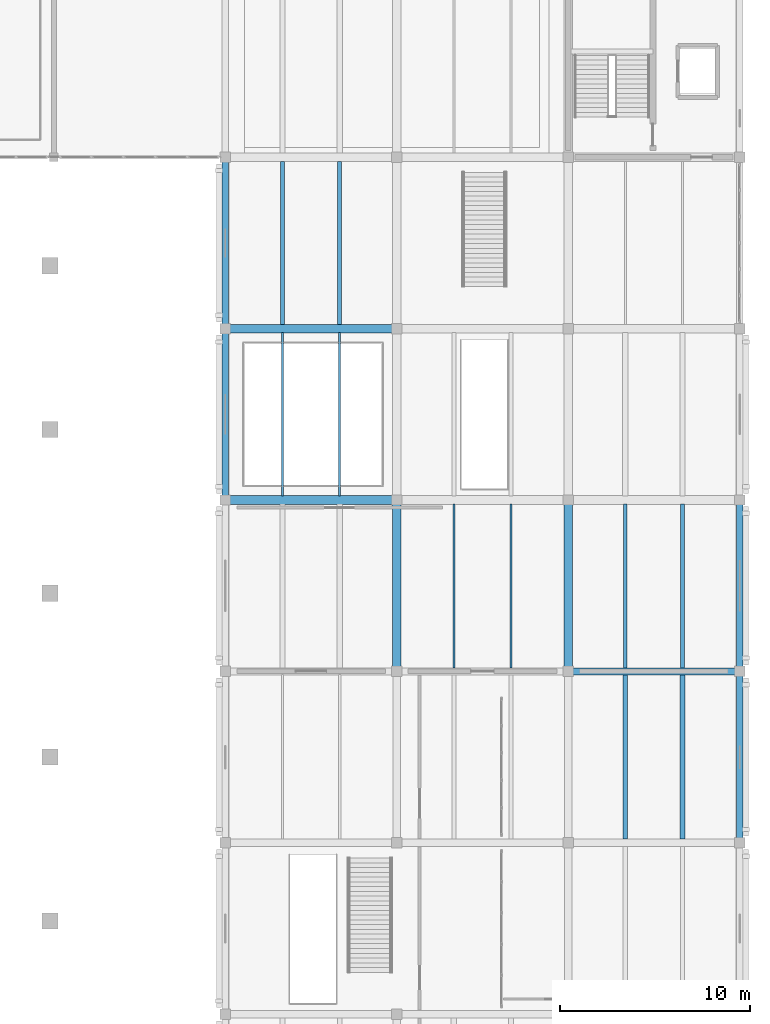
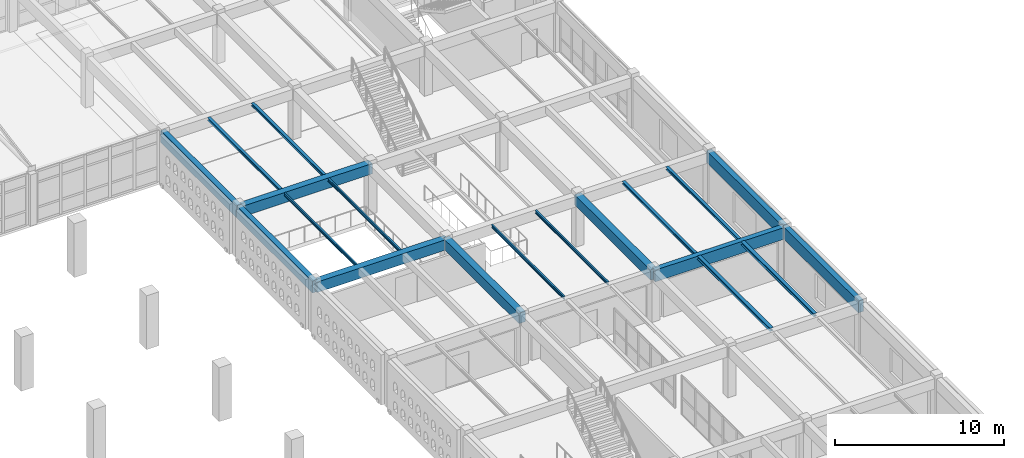
# One storey, part 90 of 156: 19 beams.
"""IFC4 building model written with IfcOpenShell, lengths in metres."""

from ifc_helpers import new_model, si_unit, direction, frame, origin, origin_2d, place, context, subcontext, project, spatial, rectangle, i_section, extrude, material, material_profile, profile_set, type_object, element, save


model = new_model("IFC4")

# Units and contexts
model_context = context("Model", 3, precision=1e-05, world=origin(), true_north=direction((0.0, 1.0)))
body_context = subcontext(model_context, "Body", "Model", "MODEL_VIEW")
ifc_project = project(units=[si_unit("LENGTHUNIT", "METRE"), si_unit("AREAUNIT", "SQUARE_METRE"), si_unit("VOLUMEUNIT", "CUBIC_METRE"), si_unit("PLANEANGLEUNIT", "RADIAN"), si_unit("MASSUNIT", "GRAM", prefix="KILO")], contexts=[model_context])

# Site, building, storey
site_placement = place(None, origin())
site = spatial("IfcSite", under=ifc_project, at=site_placement, CompositionType="ELEMENT")
building_placement = place(site_placement, origin())
building = spatial("IfcBuilding", under=site, at=building_placement, Name="Ornek Quay Market", CompositionType="ELEMENT")
storey_placement = place(building_placement, frame((0.0, 0.0, 4.5)))
storey = spatial("IfcBuildingStorey", under=building, at=storey_placement, Name="L01", CompositionType="ELEMENT", Elevation=4.5)

# Beams
ifc_material_1 = material(Name="Concrete C40/50", Category="concrete")
ifc_material_profile_1 = material_profile(ifc_material_1, rectangle(XDim=0.449951171875, YDim=0.75, at=origin_2d()), Name="RC 450x750", Category="concrete")
ifc_profile_set_1 = profile_set([ifc_material_profile_1], Name="Concrete C40/50")
beam_type_1 = type_object("IfcBeamType", Name="BM-FC-450x750", PredefinedType="BEAM", material=ifc_profile_set_1)
for number, where, z_axis, x_axis, name in (
    (1, (153.0, 74.0, 3.2548828125), (1.0, 0.0, 0.0), (0.0, 1.0, 0.0), "Primary beam B-FC1-037"),
    (2, (153.0, 83.0, 3.2548828125), (1.0, 0.0, 0.0), (0.0, 1.0, 0.0), "Primary beam B-FC1-040"),
    (3, (162.0, 65.0, 3.2548828125), (0.0, 1.0, 0.0), (-1.0, 0.0, 0.0), "Primary beam B-FC1-049"),
    (4, (171.0, 65.0, 3.2548828125), (0.0, 1.0, 0.0), (-1.0, 0.0, 0.0), "Primary beam B-FC1-054"),
):
    element("IfcBeam", number, at=place(storey_placement, frame(where, z_axis=z_axis, x_axis=x_axis)), inside=storey, type_object=beam_type_1, Name=name, PredefinedType="BEAM", context=body_context, shape_type="SweptSolid", body=[
        extrude(rectangle(XDim=0.449951171875, YDim=0.75, at=origin_2d()), origin(), (0.0, 0.0, 1.0), 9.0),
    ])
ifc_material_profile_2 = material_profile(ifc_material_1, rectangle(XDim=0.35009765625, YDim=0.85009765625, at=origin_2d()), Name="RC 350x850", Category="concrete")
ifc_profile_set_2 = profile_set([ifc_material_profile_2], Name="Concrete C40/50")
beam_type_2 = type_object("IfcBeamType", Name="BM-SPN-350x850", PredefinedType="SPANDREL", material=ifc_profile_set_2)
for number, where, z_axis, x_axis, name in (
    (5, (171.0, 65.0, 3.205078125), (1.0, 0.0, 0.0), (0.0, 1.0, 0.0), "Primary beam B-SP1-103"),
    (6, (153.0, 74.0, 3.205078125), (0.0, 1.0, 0.0), (-1.0, 0.0, 0.0), "Primary beam B-SP1-108"),
    (7, (153.0, 83.0, 3.205078125), (0.0, 1.0, 0.0), (-1.0, 0.0, 0.0), "Primary beam B-SP1-109"),
    (8, (180.0, 65.0, 3.205078125), (0.0, 1.0, 0.0), (-1.0, 0.0, 0.0), "Primary beam B-SP1-112"),
    (9, (180.0, 56.0, 3.22509765625), (0.0, 1.0, 0.0), (-1.0, 0.0, 0.0), "Primary beam B-SP1-145"),
):
    element("IfcBeam", number, at=place(storey_placement, frame(where, z_axis=z_axis, x_axis=x_axis)), inside=storey, type_object=beam_type_2, Name=name, PredefinedType="SPANDREL", context=body_context, shape_type="SweptSolid", body=[
        extrude(rectangle(XDim=0.35009765625, YDim=0.85009765625, at=origin_2d()), origin(), (0.0, 0.0, 1.0), 9.0),
    ])
ifc_material_2 = material(Name="Steel S355", Category="steel")
ifc_material_profile_3 = material_profile(ifc_material_2, i_section(OverallWidth=0.199951171875, OverallDepth=0.18994140625, WebThickness=0.006591796875, FlangeThickness=0.010009765625, FilletRadius=0.01806640625, at=origin_2d()), Name="HEA 200", Category="steel")
ifc_profile_set_3 = profile_set([ifc_material_profile_3], Name="Steel S355")
beam_type_3 = type_object("IfcBeamType", Name="BM-STL-HEA200", PredefinedType="BEAM", material=ifc_profile_set_3)
for number, where, z_axis, x_axis, name in (
    (10, (156.0, 83.217041015625, 3.534912109375), (0.0, 1.0, 0.0), (-1.0, 0.0, 0.0), "Secondary joist SB-12-021"),
    (11, (159.0, 83.217041015625, 3.534912109375), (0.0, 1.0, 0.0), (-1.0, 0.0, 0.0), "Secondary joist SB-12-022"),
):
    element("IfcBeam", number, at=place(storey_placement, frame(where, z_axis=z_axis, x_axis=x_axis)), inside=storey, type_object=beam_type_3, Name=name, PredefinedType="BEAM", context=body_context, shape_type="SweptSolid", body=[
        extrude(i_section(OverallWidth=0.199951171875, OverallDepth=0.18994140625, WebThickness=0.006591796875, FlangeThickness=0.010009765625, FilletRadius=0.01806640625, at=origin_2d()), origin(), (0.0, 0.0, 1.0), 8.56591796875),
    ])
for number, where, z_axis, x_axis, name in (
    (12, (174.0, 65.1669921875, 3.534912109375), (0.0, 1.0, 0.0), (-1.0, 0.0, 0.0), "Secondary joist SB-12-027"),
    (13, (177.0, 65.1669921875, 3.534912109375), (0.0, 1.0, 0.0), (-1.0, 0.0, 0.0), "Secondary joist SB-12-028"),
):
    element("IfcBeam", number, at=place(storey_placement, frame(where, z_axis=z_axis, x_axis=x_axis)), inside=storey, type_object=beam_type_3, Name=name, PredefinedType="BEAM", context=body_context, shape_type="SweptSolid", body=[
        extrude(i_section(OverallWidth=0.199951171875, OverallDepth=0.18994140625, WebThickness=0.006591796875, FlangeThickness=0.010009765625, FilletRadius=0.01806640625, at=origin_2d()), origin(), (0.0, 0.0, 1.0), 8.615966796875),
    ])
ifc_material_profile_4 = material_profile(ifc_material_2, i_section(OverallWidth=0.239990234375, OverallDepth=0.22998046875, WebThickness=0.007568359375, FlangeThickness=0.011962890625, FilletRadius=0.02099609375, at=origin_2d()), Name="HEA 240", Category="steel")
ifc_profile_set_4 = profile_set([ifc_material_profile_4], Name="Steel S355")
beam_type_4 = type_object("IfcBeamType", Name="BM-STL-HEA240", PredefinedType="BEAM", material=ifc_profile_set_4)
for number, where, z_axis, x_axis, name in (
    (14, (174.0, 56.19189453125, 3.534912109375), (0.0, 1.0, 0.0), (-1.0, 0.0, 0.0), "Secondary joist SB-14-029"),
    (15, (177.0, 56.19189453125, 3.534912109375), (0.0, 1.0, 0.0), (-1.0, 0.0, 0.0), "Secondary joist SB-14-030"),
):
    element("IfcBeam", number, at=place(storey_placement, frame(where, z_axis=z_axis, x_axis=x_axis)), inside=storey, type_object=beam_type_4, Name=name, PredefinedType="BEAM", context=body_context, shape_type="SweptSolid", body=[
        extrude(i_section(OverallWidth=0.239990234375, OverallDepth=0.22998046875, WebThickness=0.007568359375, FlangeThickness=0.011962890625, FilletRadius=0.02099609375, at=origin_2d()), origin(), (0.0, 0.0, 1.0), 8.64111328125),
    ])
ifc_material_profile_5 = material_profile(ifc_material_2, i_section(OverallWidth=0.110107421875, OverallDepth=0.219970703125, WebThickness=0.005859375, FlangeThickness=0.00927734375, FilletRadius=0.011962890625, at=origin_2d()), Name="IPE 220", Category="steel")
ifc_profile_set_5 = profile_set([ifc_material_profile_5], Name="Steel S355")
beam_type_5 = type_object("IfcBeamType", Name="BM-STL-IPE220", PredefinedType="JOIST", material=ifc_profile_set_5)
for number, where, z_axis, x_axis, name in (
    (16, (156.0, 74.217041015625, 3.52001953125), (0.0, 1.0, 0.0), (-1.0, 0.0, 0.0), "Secondary joist SB-03-030"),
    (17, (159.0, 74.217041015625, 3.52001953125), (0.0, 1.0, 0.0), (-1.0, 0.0, 0.0), "Secondary joist SB-03-031"),
):
    element("IfcBeam", number, at=place(storey_placement, frame(where, z_axis=z_axis, x_axis=x_axis)), inside=storey, type_object=beam_type_5, Name=name, PredefinedType="JOIST", context=body_context, shape_type="SweptSolid", body=[
        extrude(i_section(OverallWidth=0.110107421875, OverallDepth=0.219970703125, WebThickness=0.005859375, FlangeThickness=0.00927734375, FilletRadius=0.011962890625, at=origin_2d()), origin(), (0.0, 0.0, 1.0), 8.56591796875),
    ])
for number, where, z_axis, x_axis, name in (
    (18, (165.0, 65.1669921875, 3.52001953125), (0.0, 1.0, 0.0), (-1.0, 0.0, 0.0), "Secondary joist SB-03-034"),
    (19, (168.0, 65.1669921875, 3.52001953125), (0.0, 1.0, 0.0), (-1.0, 0.0, 0.0), "Secondary joist SB-03-035"),
):
    element("IfcBeam", number, at=place(storey_placement, frame(where, z_axis=z_axis, x_axis=x_axis)), inside=storey, type_object=beam_type_5, Name=name, PredefinedType="JOIST", context=body_context, shape_type="SweptSolid", body=[
        extrude(i_section(OverallWidth=0.110107421875, OverallDepth=0.219970703125, WebThickness=0.005859375, FlangeThickness=0.00927734375, FilletRadius=0.011962890625, at=origin_2d()), origin(), (0.0, 0.0, 1.0), 8.615966796875),
    ])

save(model, "model.ifc")
